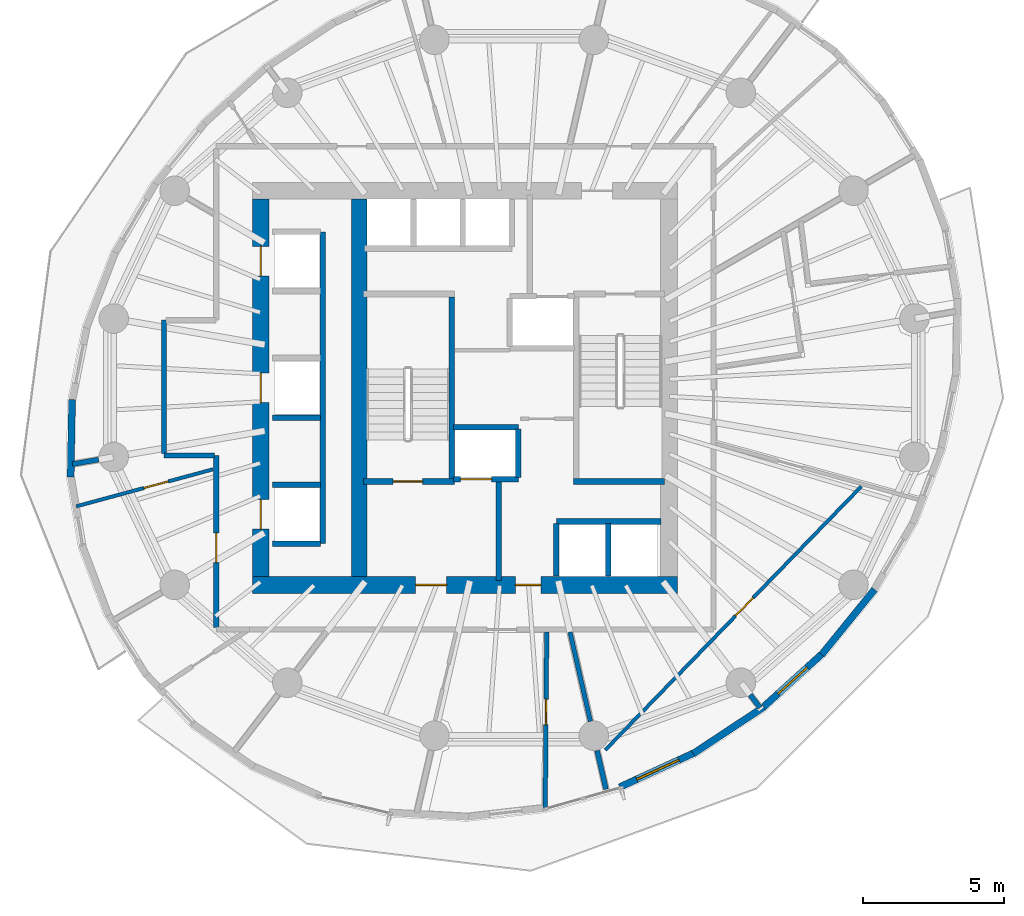
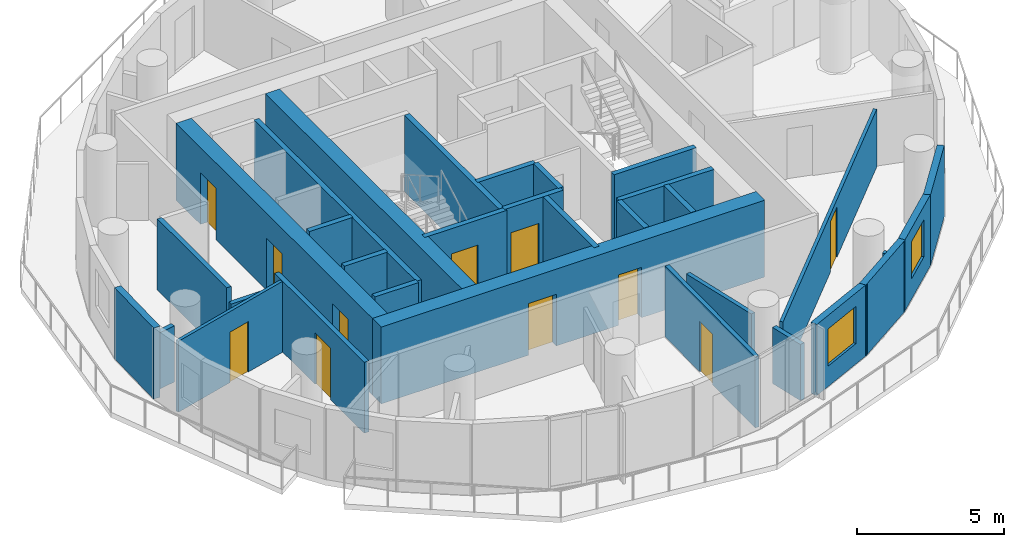
# One storey, part 5 of 13: 32 walls, 11 doors, 2 windows, 13 openings.
"""IFC4 building model written with IfcOpenShell, lengths in metres."""

from ifc_helpers import new_model, si_unit, direction, frame, frame_2d, origin, place, context, subcontext, project, spatial, rectangle, extrude, material, layer, layer_set, type_object, element, fill, save


model = new_model("IFC4")

# Units and contexts
model_context = context("Model", 3, precision=1e-05, world=origin(), true_north=direction((0.0, 1.0)))
body_context = subcontext(model_context, "Body", "Model", "MODEL_VIEW")
ifc_project = project(units=[si_unit("LENGTHUNIT", "METRE"), si_unit("AREAUNIT", "SQUARE_METRE"), si_unit("VOLUMEUNIT", "CUBIC_METRE"), si_unit("PLANEANGLEUNIT", "RADIAN"), si_unit("MASSUNIT", "GRAM", prefix="KILO")], contexts=[model_context])

# Site, building, storey
site_placement = place(None, origin())
site = spatial("IfcSite", under=ifc_project, at=site_placement, CompositionType="ELEMENT")
building_placement = place(site_placement, origin())
building = spatial("IfcBuilding", under=site, at=building_placement, Name="Veldorim Arch Residences", CompositionType="ELEMENT")
storey_placement = place(building_placement, frame((0.0, 0.0, 152.159912109375)))
storey = spatial("IfcBuildingStorey", under=building, at=storey_placement, Name="L45", CompositionType="ELEMENT", Elevation=152.159912109375)

# Wall, opening, door
ifc_material_1 = material(Name="Acoustic Gypsum Board", Category="gypsum")
ifc_layer_1 = layer(ifc_material_1, 0.125, Name="Acoustic Stud Room Partition Wall 125")
ifc_layer_set_1 = layer_set([ifc_layer_1], Name="Acoustic Gypsum Board")
wall_type_1 = type_object("IfcWallType", Name="Acoustic Stud Room Partition Wall 125", PredefinedType="PARTITIONING", material=ifc_layer_set_1)
wall_1_placement = place(storey_placement, frame((44.335693359375, 20.49658203125, 0.0), z_axis=(0.0, 0.0, 1.0), x_axis=(-0.696857448942, -0.717209659621, 0.0)))
wall_1 = element("IfcWall", 1, at=wall_1_placement, inside=storey, type_object=wall_type_1, Name="L45 interior wall WL-RES-L45-021", PredefinedType="PARTITIONING", context=body_context, shape_type="SweptSolid", body=[
    extrude(rectangle(XDim=13.051513671875, YDim=0.125, at=frame_2d((6.52587890625, 0.0))), origin(), (0.0, 0.0, 1.0), 2.411376953125),
])
opening_1_placement = place(wall_1_placement, frame((5.515625, 0.0, 0.0)))
opening_1 = element("IfcOpeningElement", 2, at=opening_1_placement, cuts=wall_1, Name="Opening DR-INT", PredefinedType="OPENING", context=body_context, shape_type="SweptSolid", body=[
    extrude(rectangle(XDim=0.89990234375, YDim=2.10009765625, at=frame_2d((0.449951171875, 1.050048828125))), frame((0.0, 0.072509765625, 0.0), z_axis=(0.0, -1.0, 0.0), x_axis=(1.0, 0.0, 0.0)), (0.0, 0.0, 1.0), 0.14501953125),
])
ifc_material_2 = material(Name="Engineered Timber", Category="wood")
door_type_1 = type_object("IfcDoorType", Name="Apartment Internal Room Timber Door 900x2100", OperationType="SINGLE_SWING_LEFT", PredefinedType="DOOR", material=ifc_material_2)
door_1_placement = place(opening_1_placement, origin())
door_1 = element("IfcDoor", 3, at=door_1_placement, inside=storey, type_object=door_type_1, Name="L45 interior door DR-RES-L45-007", OperationType="SINGLE_SWING_LEFT", OverallHeight=2.10009765625, OverallWidth=0.89990234375, PredefinedType="DOOR", context=body_context, shape_type="SweptSolid", body=[
    extrude(rectangle(XDim=0.89990234375, YDim=2.10009765625, at=frame_2d((0.449951171875, 1.050048828125))), frame((0.0, 0.02490234375, 0.0), z_axis=(0.0, -1.0, 0.0), x_axis=(1.0, 0.0, 0.0)), (0.0, 0.0, 1.0), 0.050048828125),
])
fill(opening_1, door_1)

wall_2_placement = place(storey_placement, frame((16.44775390625, 19.788330078125, 0.0), z_axis=(0.0, 0.0, 1.0), x_axis=(0.965231473287, 0.261396639182, 0.0)))
wall_2 = element("IfcWall", 4, at=wall_2_placement, inside=storey, type_object=wall_type_1, Name="L45 interior wall WL-RES-L45-029", PredefinedType="PARTITIONING", context=body_context, shape_type="SweptSolid", body=[
    extrude(rectangle(XDim=5.031494140625, YDim=0.125, at=frame_2d((2.515625, 0.0))), origin(), (0.0, 0.0, 1.0), 2.955078125),
])
opening_2_placement = place(wall_2_placement, frame((2.485595703125, 0.0, 0.0)))
opening_2 = element("IfcOpeningElement", 5, at=opening_2_placement, cuts=wall_2, Name="Opening DR-INT", PredefinedType="OPENING", context=body_context, shape_type="SweptSolid", body=[
    extrude(rectangle(XDim=0.89990234375, YDim=2.10009765625, at=frame_2d((0.449951171875, 1.050048828125))), frame((0.0, 0.072509765625, 0.0), z_axis=(0.0, -1.0, 0.0), x_axis=(1.0, 0.0, 0.0)), (0.0, 0.0, 1.0), 0.14501953125),
])
door_2_placement = place(opening_2_placement, origin())
door_2 = element("IfcDoor", 6, at=door_2_placement, inside=storey, type_object=door_type_1, Name="L45 interior door DR-RES-L45-017", OperationType="SINGLE_SWING_LEFT", OverallHeight=2.10009765625, OverallWidth=0.89990234375, PredefinedType="DOOR", context=body_context, shape_type="SweptSolid", body=[
    extrude(rectangle(XDim=0.89990234375, YDim=2.10009765625, at=frame_2d((0.449951171875, 1.050048828125))), frame((0.0, 0.02490234375, 0.0), z_axis=(0.0, -1.0, 0.0), x_axis=(1.0, 0.0, 0.0)), (0.0, 0.0, 1.0), 0.050048828125),
])
fill(opening_2, door_2)

# Walls
ifc_material_3 = material(Name="Lightweight Masonry Block & Gypsum", Category="masonry")
ifc_layer_2 = layer(ifc_material_3, 0.179931640625, Name="Compartment & Corridor Fire-Rated Party Wall 180")
ifc_layer_set_2 = layer_set([ifc_layer_2], Name="Lightweight Masonry Block & Gypsum")
wall_type_2 = type_object("IfcWallType", Name="Compartment & Corridor Fire-Rated Party Wall 180", PredefinedType="PARTITIONING", material=ifc_layer_set_2)
wall_3_placement = place(storey_placement, frame((17.24169921875, 21.44921875, 0.0), z_axis=(0.0, 0.0, 1.0), x_axis=(-0.985363023372, -0.170469094476, 0.0)))
element("IfcWall", 7, at=wall_3_placement, inside=storey, type_object=wall_type_2, Name="L45 interior wall WL-PIER-L45-09", PredefinedType="PARTITIONING", context=body_context, shape_type="SweptSolid", body=[
    extrude(rectangle(XDim=0.9453125, YDim=0.179931640625, at=frame_2d((0.47265625, 0.0))), origin(), (0.0, 0.0, 1.0), 2.3359375),
])
wall_4_placement = place(storey_placement, frame((34.950439453125, 11.11083984375, 0.0), z_axis=(0.0, 0.0, 1.0), x_axis=(0.223121817242, -0.974790569646, 0.0)))
element("IfcWall", 8, at=wall_4_placement, inside=storey, type_object=wall_type_2, Name="L45 interior wall WL-PIER-L45-13", PredefinedType="PARTITIONING", context=body_context, shape_type="SweptSolid", body=[
    extrude(rectangle(XDim=1.406005859375, YDim=0.179931640625, at=frame_2d((0.703125, 0.0))), origin(), (0.0, 0.0, 1.0), 2.3359375),
])
wall_5_placement = place(storey_placement, frame((40.387939453125, 13.091552734375, 0.0), z_axis=(0.0, 0.0, 1.0), x_axis=(0.609608105511, -0.79270294417, 0.0)))
element("IfcWall", 9, at=wall_5_placement, inside=storey, type_object=wall_type_2, Name="L45 interior wall WL-PIER-L45-14", PredefinedType="PARTITIONING", context=body_context, shape_type="SweptSolid", body=[
    extrude(rectangle(XDim=0.57470703125, YDim=0.179931640625, at=frame_2d((0.287353515625, 0.0))), origin(), (0.0, 0.0, 1.0), 2.3359375),
])

# Wall, opening, door
wall_6_placement = place(storey_placement, frame((21.419921875, 15.47998046875, 0.0), z_axis=(0.0, 0.0, 1.0), x_axis=(0.0, 1.0, 0.0)))
wall_6 = element("IfcWall", 10, at=wall_6_placement, inside=storey, type_object=wall_type_2, Name="L45 interior wall WL-RES-L45-007", PredefinedType="PARTITIONING", context=body_context, shape_type="SweptSolid", body=[
    extrude(rectangle(XDim=6.1201171875, YDim=0.179931640625, at=frame_2d((3.06005859375, 0.0))), origin(), (0.0, 0.0, 1.0), 2.955078125),
])
opening_3_placement = place(wall_6_placement, frame((2.3125, 0.0, 0.0)))
opening_3 = element("IfcOpeningElement", 11, at=opening_3_placement, cuts=wall_6, Name="Opening DR-FLT", PredefinedType="OPENING", context=body_context, shape_type="SweptSolid", body=[
    extrude(rectangle(XDim=1.050048828125, YDim=2.14990234375, at=frame_2d((0.52490234375, 1.074951171875))), frame((0.0, 0.099853515625, 0.0), z_axis=(0.0, -1.0, 0.0), x_axis=(1.0, 0.0, 0.0)), (0.0, 0.0, 1.0), 0.199951171875),
])
ifc_material_4 = material(Name="Fire-Rated Timber", Category="wood")
door_type_2 = type_object("IfcDoorType", Name="Apartment Entrance Solid-Core Fire Door 1050x2150", OperationType="SINGLE_SWING_LEFT", PredefinedType="DOOR", material=ifc_material_4)
door_3_placement = place(opening_3_placement, origin())
door_3 = element("IfcDoor", 12, at=door_3_placement, inside=storey, type_object=door_type_2, Name="L45 interior door DR-RES-L45-015", OperationType="SINGLE_SWING_LEFT", OverallHeight=2.14990234375, OverallWidth=1.050048828125, PredefinedType="DOOR", context=body_context, shape_type="SweptSolid", body=[
    extrude(rectangle(XDim=1.050048828125, YDim=2.14990234375, at=frame_2d((0.52490234375, 1.074951171875))), frame((0.0, 0.02490234375, 0.0), z_axis=(0.0, -1.0, 0.0), x_axis=(1.0, 0.0, 0.0)), (0.0, 0.0, 1.0), 0.050048828125),
])
fill(opening_3, door_3)

# Walls
wall_7_placement = place(storey_placement, frame((21.360107421875, 21.60009765625, 0.0), z_axis=(0.0, 0.0, 1.0), x_axis=(-1.0, 0.0, 0.0)))
element("IfcWall", 13, at=wall_7_placement, inside=storey, type_object=wall_type_2, Name="L45 interior wall WL-RES-L45-008", PredefinedType="PARTITIONING", context=body_context, shape_type="SweptSolid", body=[
    extrude(rectangle(XDim=1.7900390625, YDim=0.179931640625, at=frame_2d((0.89501953125, 0.0))), origin(), (0.0, 0.0, 1.0), 2.3359375),
])
wall_8_placement = place(storey_placement, frame((19.570068359375, 21.659912109375, 0.0), z_axis=(0.0, 0.0, 1.0), x_axis=(0.0, 1.0, 0.0)))
element("IfcWall", 14, at=wall_8_placement, inside=storey, type_object=wall_type_2, Name="L45 interior wall WL-RES-L45-009", PredefinedType="PARTITIONING", context=body_context, shape_type="SweptSolid", body=[
    extrude(rectangle(XDim=4.739990234375, YDim=0.179931640625, at=frame_2d((2.3701171875, 0.0))), origin(), (0.0, 0.0, 1.0), 2.955078125),
])
ifc_material_5 = material(Name="Concrete C50/60", Category="concrete")
ifc_layer_3 = layer(ifc_material_5, 0.199951171875, Name="Core Stair & Lift Shaft Enclosure Wall 200")
ifc_layer_set_3 = layer_set([ifc_layer_3], Name="Concrete C50/60")
wall_type_3 = type_object("IfcWallType", Name="Core Stair & Lift Shaft Enclosure Wall 200", PredefinedType="SHEAR", material=ifc_layer_set_3)
wall_9_placement = place(storey_placement, frame((29.7900390625, 20.780029296875, 0.0), z_axis=(0.0, 0.0, 1.0), x_axis=(0.0, 1.0, 0.0)))
element("IfcWall", 15, at=wall_9_placement, inside=storey, type_object=wall_type_3, Name="L45 shaft wall WL-SHF-L45-ST1-E", PredefinedType="SHEAR", context=body_context, shape_type="SweptSolid", body=[
    extrude(rectangle(XDim=6.43994140625, YDim=0.199951171875, at=frame_2d((3.219970703125, 0.0))), origin(), (0.0, 0.0, 1.0), 3.2001953125),
])

# Wall, opening, door
wall_10_placement = place(storey_placement, frame((26.64990234375, 20.669921875, 0.0), z_axis=(0.0, 0.0, 1.0), x_axis=(1.0, 0.0, 0.0)))
wall_10 = element("IfcWall", 16, at=wall_10_placement, inside=storey, type_object=wall_type_3, Name="L45 shaft wall WL-SHF-L45-ST1-S", PredefinedType="SHEAR", context=body_context, shape_type="SweptSolid", body=[
    extrude(rectangle(XDim=3.239990234375, YDim=0.199951171875, at=frame_2d((1.6201171875, 0.0))), origin(), (0.0, 0.0, 1.0), 3.2001953125),
])
opening_4_placement = place(wall_10_placement, frame((1.054931640625, 0.0, 0.0)))
opening_4 = element("IfcOpeningElement", 17, at=opening_4_placement, cuts=wall_10, Name="Opening DR-ST", PredefinedType="OPENING", context=body_context, shape_type="SweptSolid", body=[
    extrude(rectangle(XDim=1.050048828125, YDim=2.14990234375, at=frame_2d((0.52490234375, 1.074951171875))), frame((0.0, 0.10986328125, 0.0), z_axis=(0.0, -1.0, 0.0), x_axis=(1.0, 0.0, 0.0)), (0.0, 0.0, 1.0), 0.219970703125),
])
ifc_material_6 = material(Name="Fire-Rated Steel", Category="steel")
door_type_3 = type_object("IfcDoorType", Name="Exit Staircase Self-Closing Fire Door 1050x2150", OperationType="SINGLE_SWING_LEFT", PredefinedType="DOOR", material=ifc_material_6)
door_4_placement = place(opening_4_placement, origin())
door_4 = element("IfcDoor", 18, at=door_4_placement, inside=storey, type_object=door_type_3, Name="L45 interior door DR-L45-ST1", OperationType="SINGLE_SWING_LEFT", OverallHeight=2.14990234375, OverallWidth=1.050048828125, PredefinedType="DOOR", context=body_context, shape_type="SweptSolid", body=[
    extrude(rectangle(XDim=1.050048828125, YDim=2.14990234375, at=frame_2d((0.52490234375, 1.074951171875))), frame((0.0, 0.02490234375, 0.0), z_axis=(0.0, -1.0, 0.0), x_axis=(1.0, 0.0, 0.0)), (0.0, 0.0, 1.0), 0.050048828125),
])
fill(opening_4, door_4)

# Walls
wall_11_placement = place(storey_placement, frame((34.110107421875, 20.669921875, 0.0), z_axis=(0.0, 0.0, 1.0), x_axis=(1.0, 0.0, 0.0)))
element("IfcWall", 19, at=wall_11_placement, inside=storey, type_object=wall_type_3, Name="L45 shaft wall WL-SHF-L45-ST2-S", PredefinedType="SHEAR", context=body_context, shape_type="SweptSolid", body=[
    extrude(rectangle(XDim=3.239990234375, YDim=0.199951171875, at=frame_2d((1.6201171875, 0.0))), origin(), (0.0, 0.0, 1.0), 3.2001953125),
])
wall_12_placement = place(storey_placement, frame((31.449951171875, 17.14990234375, 0.0), z_axis=(0.0, 0.0, 1.0), x_axis=(0.0, 1.0, 0.0)))
element("IfcWall", 20, at=wall_12_placement, inside=storey, type_object=wall_type_3, Name="L45 shaft wall WL-FFL1-L45-E", PredefinedType="SHEAR", context=body_context, shape_type="SweptSolid", body=[
    extrude(rectangle(XDim=3.5, YDim=0.199951171875, at=frame_2d((1.75, 0.0))), origin(), (0.0, 0.0, 1.0), 3.2001953125),
])

# Wall, opening, door
wall_13_placement = place(storey_placement, frame((29.85009765625, 20.75, 0.0), z_axis=(0.0, 0.0, 1.0), x_axis=(1.0, 0.0, 0.0)))
wall_13 = element("IfcWall", 21, at=wall_13_placement, inside=storey, type_object=wall_type_3, Name="L45 shaft wall WL-FL01-L45-S", PredefinedType="SHEAR", context=body_context, shape_type="SweptSolid", body=[
    extrude(rectangle(XDim=2.2998046875, YDim=0.199951171875, at=frame_2d((1.14990234375, 0.0))), origin(), (0.0, 0.0, 1.0), 3.2001953125),
])
opening_5_placement = place(wall_13_placement, frame((0.25, 0.0, 0.0)))
opening_5 = element("IfcOpeningElement", 22, at=opening_5_placement, cuts=wall_13, Name="Opening LD-FF", PredefinedType="OPENING", context=body_context, shape_type="SweptSolid", body=[
    extrude(rectangle(XDim=1.10009765625, YDim=2.14990234375, at=frame_2d((0.550048828125, 1.074951171875))), frame((0.0, 0.10986328125, 0.0), z_axis=(0.0, -1.0, 0.0), x_axis=(1.0, 0.0, 0.0)), (0.0, 0.0, 1.0), 0.219970703125),
])
ifc_material_7 = material(Name="Stainless Steel", Category="steel")
door_type_4 = type_object("IfcDoorType", Name="Firefighting Lift Bi-Parting Sliding Landing Door 1100x2150", OperationType="DOUBLE_DOOR_SLIDING", PredefinedType="DOOR", material=ifc_material_7)
door_5_placement = place(opening_5_placement, origin())
door_5 = element("IfcDoor", 23, at=door_5_placement, inside=storey, type_object=door_type_4, Name="L45 lift landing door LD-L45-FL01", OperationType="DOUBLE_DOOR_SLIDING", OverallHeight=2.14990234375, OverallWidth=1.10009765625, PredefinedType="DOOR", context=body_context, shape_type="SweptSolid", body=[
    extrude(rectangle(XDim=1.10009765625, YDim=2.14990234375, at=frame_2d((0.550048828125, 1.074951171875))), frame((0.0, 0.02490234375, 0.0), z_axis=(0.0, -1.0, 0.0), x_axis=(1.0, 0.0, 0.0)), (0.0, 0.0, 1.0), 0.050048828125),
])
fill(opening_5, door_5)

# Walls
wall_14_placement = place(storey_placement, frame((29.85009765625, 22.60009765625, 0.0), z_axis=(0.0, 0.0, 1.0), x_axis=(1.0, 0.0, 0.0)))
element("IfcWall", 24, at=wall_14_placement, inside=storey, type_object=wall_type_3, Name="L45 shaft wall WL-FL01-L45-N", PredefinedType="SHEAR", context=body_context, shape_type="SweptSolid", body=[
    extrude(rectangle(XDim=2.2998046875, YDim=0.199951171875, at=frame_2d((1.14990234375, 0.0))), origin(), (0.0, 0.0, 1.0), 3.2001953125),
])
wall_15_placement = place(storey_placement, frame((32.14990234375, 20.820068359375, 0.0), z_axis=(0.0, 0.0, 1.0), x_axis=(0.0, 1.0, 0.0)))
element("IfcWall", 25, at=wall_15_placement, inside=storey, type_object=wall_type_3, Name="L45 shaft wall WL-FL01-L45-E", PredefinedType="SHEAR", context=body_context, shape_type="SweptSolid", body=[
    extrude(rectangle(XDim=1.7099609375, YDim=0.199951171875, at=frame_2d((0.85498046875, 0.0))), origin(), (0.0, 0.0, 1.0), 3.2001953125),
])
wall_16_placement = place(storey_placement, frame((25.199951171875, 18.4599609375, 0.0), z_axis=(0.0, 0.0, 1.0), x_axis=(0.0, 1.0, 0.0)))
element("IfcWall", 26, at=wall_16_placement, inside=storey, type_object=wall_type_3, Name="L45 shaft wall WL-B2-L45-E", PredefinedType="SHEAR", context=body_context, shape_type="SweptSolid", body=[
    extrude(rectangle(XDim=11.080078125, YDim=0.199951171875, at=frame_2d((5.5400390625, 0.0))), origin(), (0.0, 0.0, 1.0), 3.2001953125),
])
for number, where, z_axis, x_axis, name in (
    (27, (23.419921875, 18.4599609375, 0.0), (0.0, 0.0, 1.0), (1.0, 0.0, 0.0), "L45 shaft wall WL-B2-L45-S"),
    (28, (23.419921875, 20.56005859375, 0.0), (0.0, 0.0, 1.0), (1.0, 0.0, 0.0), "L45 shaft wall WL-B2-L45-D1A"),
    (29, (23.419921875, 22.93994140625, 0.0), (0.0, 0.0, 1.0), (1.0, 0.0, 0.0), "L45 shaft wall WL-B2-L45-D1B"),
):
    element("IfcWall", number, at=place(storey_placement, frame(where, z_axis=z_axis, x_axis=x_axis)), inside=storey, type_object=wall_type_3, Name=name, PredefinedType="SHEAR", context=body_context, shape_type="SweptSolid", body=[
        extrude(rectangle(XDim=1.7099609375, YDim=0.199951171875, at=frame_2d((0.85498046875, 0.0))), origin(), (0.0, 0.0, 1.0), 3.2001953125),
    ])
wall_17_placement = place(storey_placement, frame((33.5, 19.25, 0.0), z_axis=(0.0, 0.0, 1.0), x_axis=(1.0, 0.0, 0.0)))
element("IfcWall", 30, at=wall_17_placement, inside=storey, type_object=wall_type_3, Name="L45 shaft wall WL-OL-L45-N", PredefinedType="SHEAR", context=body_context, shape_type="SweptSolid", body=[
    extrude(rectangle(XDim=3.719970703125, YDim=0.199951171875, at=frame_2d((1.85986328125, 0.0))), origin(), (0.0, 0.0, 1.0), 3.2001953125),
])
for number, where, z_axis, x_axis, name in (
    (31, (33.5, 17.320068359375, 0.0), (0.0, 0.0, 1.0), (0.0, 1.0, 0.0), "L45 shaft wall WL-OL-L45-W"),
    (32, (35.35009765625, 17.320068359375, 0.0), (0.0, 0.0, 1.0), (0.0, 1.0, 0.0), "L45 shaft wall WL-OL-L45-D1"),
):
    element("IfcWall", number, at=place(storey_placement, frame(where, z_axis=z_axis, x_axis=x_axis)), inside=storey, type_object=wall_type_3, Name=name, PredefinedType="SHEAR", context=body_context, shape_type="SweptSolid", body=[
        extrude(rectangle(XDim=1.85986328125, YDim=0.199951171875, at=frame_2d((0.929931640625, 0.0))), origin(), (0.0, 0.0, 1.0), 3.2001953125),
    ])

# Wall, openings, doors
ifc_material_8 = material(Name="Concrete C50/60", Category="concrete")
ifc_layer_4 = layer(ifc_material_8, 0.60009765625, Name="Mid-Upper Central Core Shear Wall 600")
ifc_layer_set_4 = layer_set([ifc_layer_4], Name="Concrete C50/60")
wall_type_4 = type_object("IfcWallType", Name="Mid-Upper Central Core Shear Wall 600", PredefinedType="SHEAR", material=ifc_layer_set_4)
wall_18_placement = place(storey_placement, frame((22.699951171875, 17.0, 0.0), z_axis=(0.0, 0.0, 1.0), x_axis=(1.0, 0.0, 0.0)))
wall_18 = element("IfcWall", 33, at=wall_18_placement, inside=storey, type_object=wall_type_4, Name="L45 central core south shear wall", PredefinedType="SHEAR", context=body_context, shape_type="SweptSolid", body=[
    extrude(rectangle(XDim=15.10009765625, YDim=0.60009765625, at=frame_2d((7.550048828125, 0.0))), origin(), (0.0, 0.0, 1.0), 3.2001953125),
])
opening_6_placement = place(wall_18_placement, frame((5.800048828125, 0.0, 0.0)))
opening_6 = element("IfcOpeningElement", 34, at=opening_6_placement, cuts=wall_18, Name="Opening DR-FFL", PredefinedType="OPENING", context=body_context, shape_type="SweptSolid", body=[
    extrude(rectangle(XDim=1.10009765625, YDim=2.14990234375, at=frame_2d((0.550048828125, 1.074951171875))), frame((0.0, 0.31005859375, 0.0), z_axis=(0.0, -1.0, 0.0), x_axis=(1.0, 0.0, 0.0)), (0.0, 0.0, 1.0), 0.6201171875),
])
opening_7_placement = place(wall_18_placement, frame((9.35009765625, 0.0, 0.0)))
opening_7 = element("IfcOpeningElement", 35, at=opening_7_placement, cuts=wall_18, Name="Opening DR-SVC", PredefinedType="OPENING", context=body_context, shape_type="SweptSolid", body=[
    extrude(rectangle(XDim=0.89990234375, YDim=2.10009765625, at=frame_2d((0.449951171875, 1.050048828125))), frame((0.0, 0.31005859375, 0.0), z_axis=(0.0, -1.0, 0.0), x_axis=(1.0, 0.0, 0.0)), (0.0, 0.0, 1.0), 0.6201171875),
])
ifc_material_9 = material(Name="Fire-Rated Steel & Vision Glass", Category="steel")
door_type_5 = type_object("IfcDoorType", Name="Firefighting Lobby Smoke-Stop Fire Door 1100x2150", OperationType="SINGLE_SWING_LEFT", PredefinedType="DOOR", material=ifc_material_9)
door_6_placement = place(opening_6_placement, origin())
door_6 = element("IfcDoor", 36, at=door_6_placement, inside=storey, type_object=door_type_5, Name="L45 interior door DR-L45-FFL1", OperationType="SINGLE_SWING_RIGHT", OverallHeight=2.14990234375, OverallWidth=1.10009765625, PredefinedType="DOOR", context=body_context, shape_type="SweptSolid", body=[
    extrude(rectangle(XDim=1.10009765625, YDim=2.14990234375, at=frame_2d((0.550048828125, 1.074951171875))), frame((0.0, 0.02490234375, 0.0), z_axis=(0.0, -1.0, 0.0), x_axis=(1.0, 0.0, 0.0)), (0.0, 0.0, 1.0), 0.050048828125),
])
fill(opening_6, door_6)
ifc_material_10 = material(Name="Fire-Rated Steel", Category="steel")
door_type_6 = type_object("IfcDoorType", Name="Riser, Shelter & Plant Room Rated Steel Door 900x2100", OperationType="SINGLE_SWING_LEFT", PredefinedType="DOOR", material=ifc_material_10)
door_7_placement = place(opening_7_placement, origin())
door_7 = element("IfcDoor", 37, at=door_7_placement, inside=storey, type_object=door_type_6, Name="L45 interior door DR-L45-COR-ANC", OperationType="SINGLE_SWING_LEFT", OverallHeight=2.10009765625, OverallWidth=0.89990234375, PredefinedType="DOOR", context=body_context, shape_type="SweptSolid", body=[
    extrude(rectangle(XDim=0.89990234375, YDim=2.10009765625, at=frame_2d((0.449951171875, 1.050048828125))), frame((0.0, 0.02490234375, 0.0), z_axis=(0.0, -1.0, 0.0), x_axis=(1.0, 0.0, 0.0)), (0.0, 0.0, 1.0), 0.050048828125),
])
fill(opening_7, door_7)

wall_19_placement = place(storey_placement, frame((23.0, 17.300048828125, 0.0), z_axis=(0.0, 0.0, 1.0), x_axis=(0.0, 1.0, 0.0)))
wall_19 = element("IfcWall", 38, at=wall_19_placement, inside=storey, type_object=wall_type_4, Name="L45 central core west shear wall", PredefinedType="SHEAR", context=body_context, shape_type="SweptSolid", body=[
    extrude(rectangle(XDim=13.39990234375, YDim=0.60009765625, at=frame_2d((6.699951171875, 0.0))), origin(), (0.0, 0.0, 1.0), 3.2001953125),
])
opening_8_placement = place(wall_19_placement, frame((1.675048828125, 0.0, 0.0)))
opening_8 = element("IfcOpeningElement", 39, at=opening_8_placement, cuts=wall_19, Name="Opening LD-PS", PredefinedType="OPENING", context=body_context, shape_type="SweptSolid", body=[
    extrude(rectangle(XDim=1.050048828125, YDim=2.14990234375, at=frame_2d((0.52490234375, 1.074951171875))), frame((0.0, 0.31005859375, 0.0), z_axis=(0.0, -1.0, 0.0), x_axis=(1.0, 0.0, 0.0)), (0.0, 0.0, 1.0), 0.6201171875),
])
opening_9_placement = place(wall_19_placement, frame((6.175048828125, 0.0, 0.0)))
opening_9 = element("IfcOpeningElement", 40, at=opening_9_placement, cuts=wall_19, Name="Opening LD-PS", PredefinedType="OPENING", context=body_context, shape_type="SweptSolid", body=[
    extrude(rectangle(XDim=1.050048828125, YDim=2.14990234375, at=frame_2d((0.52490234375, 1.074951171875))), frame((0.0, 0.31005859375, 0.0), z_axis=(0.0, -1.0, 0.0), x_axis=(1.0, 0.0, 0.0)), (0.0, 0.0, 1.0), 0.6201171875),
])
opening_10_placement = place(wall_19_placement, frame((10.675048828125, 0.0, 0.0)))
opening_10 = element("IfcOpeningElement", 41, at=opening_10_placement, cuts=wall_19, Name="Opening LD-PS", PredefinedType="OPENING", context=body_context, shape_type="SweptSolid", body=[
    extrude(rectangle(XDim=1.050048828125, YDim=2.14990234375, at=frame_2d((0.52490234375, 1.074951171875))), frame((0.0, 0.31005859375, 0.0), z_axis=(0.0, -1.0, 0.0), x_axis=(1.0, 0.0, 0.0)), (0.0, 0.0, 1.0), 0.6201171875),
])
ifc_material_11 = material(Name="Stainless Steel", Category="steel")
door_type_7 = type_object("IfcDoorType", Name="Passenger Lift Bi-Parting Sliding Landing Door 1050x2150", OperationType="DOUBLE_DOOR_SLIDING", PredefinedType="DOOR", material=ifc_material_11)
door_8_placement = place(opening_8_placement, origin())
door_8 = element("IfcDoor", 42, at=door_8_placement, inside=storey, type_object=door_type_7, Name="L45 lift landing door LD-L45-PL-05", OperationType="DOUBLE_DOOR_SLIDING", OverallHeight=2.14990234375, OverallWidth=1.050048828125, PredefinedType="DOOR", context=body_context, shape_type="SweptSolid", body=[
    extrude(rectangle(XDim=1.050048828125, YDim=2.14990234375, at=frame_2d((0.52490234375, 1.074951171875))), frame((0.0, 0.02490234375, 0.0), z_axis=(0.0, -1.0, 0.0), x_axis=(1.0, 0.0, 0.0)), (0.0, 0.0, 1.0), 0.050048828125),
])
fill(opening_8, door_8)
door_9_placement = place(opening_9_placement, origin())
door_9 = element("IfcDoor", 43, at=door_9_placement, inside=storey, type_object=door_type_7, Name="L45 lift landing door LD-L45-PL-06", OperationType="DOUBLE_DOOR_SLIDING", OverallHeight=2.14990234375, OverallWidth=1.050048828125, PredefinedType="DOOR", context=body_context, shape_type="SweptSolid", body=[
    extrude(rectangle(XDim=1.050048828125, YDim=2.14990234375, at=frame_2d((0.52490234375, 1.074951171875))), frame((0.0, 0.02490234375, 0.0), z_axis=(0.0, -1.0, 0.0), x_axis=(1.0, 0.0, 0.0)), (0.0, 0.0, 1.0), 0.050048828125),
])
fill(opening_9, door_9)
door_10_placement = place(opening_10_placement, origin())
door_10 = element("IfcDoor", 44, at=door_10_placement, inside=storey, type_object=door_type_7, Name="L45 lift landing door LD-L45-PL-07", OperationType="DOUBLE_DOOR_SLIDING", OverallHeight=2.14990234375, OverallWidth=1.050048828125, PredefinedType="DOOR", context=body_context, shape_type="SweptSolid", body=[
    extrude(rectangle(XDim=1.050048828125, YDim=2.14990234375, at=frame_2d((0.52490234375, 1.074951171875))), frame((0.0, 0.02490234375, 0.0), z_axis=(0.0, -1.0, 0.0), x_axis=(1.0, 0.0, 0.0)), (0.0, 0.0, 1.0), 0.050048828125),
])
fill(opening_10, door_10)

# Wall
ifc_material_12 = material(Name="Precast concrete C40/50", Category="concrete")
ifc_layer_5 = layer(ifc_material_12, 0.25, Name="Tower Terracotta Spandrel & Pier Wall 250")
ifc_layer_set_5 = layer_set([ifc_layer_5], Name="Precast concrete C40/50")
wall_type_5 = type_object("IfcWallType", Name="Tower Terracotta Spandrel & Pier Wall 250", PredefinedType="SOLIDWALL", material=ifc_layer_set_5)
wall_20_placement = place(storey_placement, frame((16.246826171875, 20.824951171875, 0.0), z_axis=(0.0, 0.0, 1.0), x_axis=(0.018273942119, 0.999833017578, 0.0)))
element("IfcWall", 45, at=wall_20_placement, inside=storey, type_object=wall_type_5, Name="L45 terracotta facade wall 15", PredefinedType="SOLIDWALL", context=body_context, shape_type="SweptSolid", body=[
    extrude(rectangle(XDim=2.752197265625, YDim=0.25, at=frame_2d((1.3759765625, 0.0))), origin(), (0.0, 0.0, 1.0), 2.960205078125),
])

# Wall, opening, window
wall_21_placement = place(storey_placement, frame((38.46142578125, 11.056396484375, 0.0), z_axis=(0.0, 0.0, 1.0), x_axis=(-0.908594420046, -0.417679518124, 0.0)))
wall_21 = element("IfcWall", 46, at=wall_21_placement, inside=storey, type_object=wall_type_5, Name="L45 terracotta facade wall 26", PredefinedType="SOLIDWALL", context=body_context, shape_type="SweptSolid", body=[
    extrude(rectangle(XDim=2.97705078125, YDim=0.25, at=frame_2d((1.488525390625, 0.0))), origin(), (0.0, 0.0, 1.0), 2.960205078125),
])
opening_11_placement = place(wall_21_placement, frame((0.6640625, 0.0, 0.85009765625)))
opening_11 = element("IfcOpeningElement", 47, at=opening_11_placement, cuts=wall_21, Name="Opening WN-03", PredefinedType="OPENING", context=body_context, shape_type="SweptSolid", body=[
    extrude(rectangle(XDim=1.64990234375, YDim=1.550048828125, at=frame_2d((0.824951171875, 0.77490234375))), frame((0.0, 0.135009765625, 0.0), z_axis=(0.0, -1.0, 0.0), x_axis=(1.0, 0.0, 0.0)), (0.0, 0.0, 1.0), 0.27001953125),
])
ifc_material_13 = material(Name="Laminated Low-E Glass", Category="glass")
window_type_1 = type_object("IfcWindowType", Name="Residential Wide Window 1650x1550", PartitioningType="SINGLE_PANEL", PredefinedType="WINDOW", material=ifc_material_13)
window_1_placement = place(opening_11_placement, origin())
window_1 = element("IfcWindow", 48, at=window_1_placement, inside=storey, type_object=window_type_1, Name="L45 solar-control facade window 26", OverallHeight=1.550048828125, OverallWidth=1.64990234375, PartitioningType="SINGLE_PANEL", PredefinedType="WINDOW", context=body_context, shape_type="SweptSolid", body=[
    extrude(rectangle(XDim=1.64990234375, YDim=1.550048828125, at=frame_2d((0.824951171875, 0.77490234375))), frame((0.0, 0.030029296875, 0.0), z_axis=(0.0, -1.0, 0.0), x_axis=(1.0, 0.0, 0.0)), (0.0, 0.0, 1.0), 0.06005859375),
])
fill(opening_11, window_1)

# Wall
wall_22_placement = place(storey_placement, frame((40.867919921875, 12.656005859375, 0.0), z_axis=(0.0, 0.0, 1.0), x_axis=(-0.83436073477, -0.551218798912, 0.0)))
element("IfcWall", 49, at=wall_22_placement, inside=storey, type_object=wall_type_5, Name="L45 terracotta facade wall 27", PredefinedType="SOLIDWALL", context=body_context, shape_type="SweptSolid", body=[
    extrude(rectangle(XDim=2.998046875, YDim=0.25, at=frame_2d((1.4990234375, 0.0))), origin(), (0.0, 0.0, 1.0), 2.960205078125),
])

# Wall, opening, window
wall_23_placement = place(storey_placement, frame((43.005126953125, 14.6015625, 0.0), z_axis=(0.0, 0.0, 1.0), x_axis=(-0.741367932595, -0.671098791922, 0.0)))
wall_23 = element("IfcWall", 50, at=wall_23_placement, inside=storey, type_object=wall_type_5, Name="L45 terracotta facade wall 28", PredefinedType="SOLIDWALL", context=body_context, shape_type="SweptSolid", body=[
    extrude(rectangle(XDim=2.998291015625, YDim=0.25, at=frame_2d((1.4990234375, 0.0))), origin(), (0.0, 0.0, 1.0), 2.960205078125),
])
opening_12_placement = place(wall_23_placement, frame((0.799072265625, 0.0, 0.85009765625)))
opening_12 = element("IfcOpeningElement", 51, at=opening_12_placement, cuts=wall_23, Name="Opening WN-02", PredefinedType="OPENING", context=body_context, shape_type="SweptSolid", body=[
    extrude(rectangle(XDim=1.39990234375, YDim=1.550048828125, at=frame_2d((0.699951171875, 0.77490234375))), frame((0.0, 0.135009765625, 0.0), z_axis=(0.0, -1.0, 0.0), x_axis=(1.0, 0.0, 0.0)), (0.0, 0.0, 1.0), 0.27001953125),
])
ifc_material_14 = material(Name="Laminated Low-E Glass", Category="glass")
window_type_2 = type_object("IfcWindowType", Name="Residential Casement Window 1400x1550", PartitioningType="SINGLE_PANEL", PredefinedType="WINDOW", material=ifc_material_14)
window_2_placement = place(opening_12_placement, origin())
window_2 = element("IfcWindow", 52, at=window_2_placement, inside=storey, type_object=window_type_2, Name="L45 solar-control facade window 28", OverallHeight=1.550048828125, OverallWidth=1.39990234375, PartitioningType="SINGLE_PANEL", PredefinedType="WINDOW", context=body_context, shape_type="SweptSolid", body=[
    extrude(rectangle(XDim=1.39990234375, YDim=1.550048828125, at=frame_2d((0.699951171875, 0.77490234375))), frame((0.0, 0.030029296875, 0.0), z_axis=(0.0, -1.0, 0.0), x_axis=(1.0, 0.0, 0.0)), (0.0, 0.0, 1.0), 0.06005859375),
])
fill(opening_12, window_2)

# Walls
wall_24_placement = place(storey_placement, frame((44.80712890625, 16.833251953125, 0.0), z_axis=(0.0, 0.0, 1.0), x_axis=(-0.630478385784, -0.776206805599, 0.0)))
element("IfcWall", 53, at=wall_24_placement, inside=storey, type_object=wall_type_5, Name="L45 terracotta facade wall 29", PredefinedType="SOLIDWALL", context=body_context, shape_type="SweptSolid", body=[
    extrude(rectangle(XDim=2.97705078125, YDim=0.25, at=frame_2d((1.488525390625, 0.0))), origin(), (0.0, 0.0, 1.0), 2.960205078125),
])
ifc_material_15 = material(Name="Concrete C50/60", Category="concrete")
ifc_layer_6 = layer(ifc_material_15, 0.56005859375, Name="Upper Internal Core Shear Web Wall 560")
ifc_layer_set_6 = layer_set([ifc_layer_6], Name="Concrete C50/60")
wall_type_6 = type_object("IfcWallType", Name="Upper Internal Core Shear Web Wall 560", PredefinedType="SHEAR", material=ifc_layer_set_6)
wall_25_placement = place(storey_placement, frame((26.5, 17.300048828125, 0.0), z_axis=(0.0, 0.0, 1.0), x_axis=(0.0, 1.0, 0.0)))
element("IfcWall", 54, at=wall_25_placement, inside=storey, type_object=wall_type_6, Name="L45 core west internal shear web", PredefinedType="SHEAR", context=body_context, shape_type="SweptSolid", body=[
    extrude(rectangle(XDim=13.39990234375, YDim=0.56005859375, at=frame_2d((6.699951171875, 0.0))), origin(), (0.0, 0.0, 1.0), 3.2001953125),
])

# Wall, opening, door
ifc_material_16 = material(Name="Moisture-Resistant Gypsum & Stud", Category="gypsum")
ifc_layer_7 = layer(ifc_material_16, 0.159912109375, Name="Wet-Area Moisture-Resistant Plumbing Wall 160")
ifc_layer_set_7 = layer_set([ifc_layer_7], Name="Moisture-Resistant Gypsum & Stud")
wall_type_7 = type_object("IfcWallType", Name="Wet-Area Moisture-Resistant Plumbing Wall 160", PredefinedType="PLUMBINGWALL", material=ifc_layer_set_7)
wall_26_placement = place(storey_placement, frame((33.1591796875, 15.320068359375, 0.0), z_axis=(0.0, 0.0, 1.0), x_axis=(-0.008387256911, -0.999964826342, 0.0)))
wall_26 = element("IfcWall", 55, at=wall_26_placement, inside=storey, type_object=wall_type_7, Name="L45 interior wall WL-RES-L45-011", PredefinedType="PLUMBINGWALL", context=body_context, shape_type="SweptSolid", body=[
    extrude(rectangle(XDim=6.229248046875, YDim=0.159912109375, at=frame_2d((3.11474609375, 0.0))), origin(), (0.0, 0.0, 1.0), 2.955078125),
])
opening_13_placement = place(wall_26_placement, frame((2.384521484375, 0.0, 0.0)))
opening_13 = element("IfcOpeningElement", 56, at=opening_13_placement, cuts=wall_26, Name="Opening DR-WC", PredefinedType="OPENING", context=body_context, shape_type="SweptSolid", body=[
    extrude(rectangle(XDim=0.89990234375, YDim=2.10009765625, at=frame_2d((0.449951171875, 1.050048828125))), frame((0.0, 0.08984375, 0.0), z_axis=(0.0, -1.0, 0.0), x_axis=(1.0, 0.0, 0.0)), (0.0, 0.0, 1.0), 0.179931640625),
])
ifc_material_17 = material(Name="Laminate Timber", Category="wood")
door_type_8 = type_object("IfcDoorType", Name="Bathroom & Accessible WC Moisture-Sealed Door 900x2100", OperationType="SINGLE_SWING_LEFT", PredefinedType="DOOR", material=ifc_material_17)
door_11_placement = place(opening_13_placement, origin())
door_11 = element("IfcDoor", 57, at=door_11_placement, inside=storey, type_object=door_type_8, Name="L45 interior door DR-RES-L45-002", OperationType="SINGLE_SWING_RIGHT", OverallHeight=2.10009765625, OverallWidth=0.89990234375, PredefinedType="DOOR", context=body_context, shape_type="SweptSolid", body=[
    extrude(rectangle(XDim=0.89990234375, YDim=2.10009765625, at=frame_2d((0.449951171875, 1.050048828125))), frame((0.0, 0.02490234375, 0.0), z_axis=(0.0, -1.0, 0.0), x_axis=(1.0, 0.0, 0.0)), (0.0, 0.0, 1.0), 0.050048828125),
])
fill(opening_13, door_11)

# Wall
wall_27_placement = place(storey_placement, frame((33.986328125, 15.322509765625, 0.0), z_axis=(0.0, 0.0, 1.0), x_axis=(0.223166862669, -0.97478025801, 0.0)))
element("IfcWall", 58, at=wall_27_placement, inside=storey, type_object=wall_type_7, Name="L45 interior wall WL-RES-L45-013", PredefinedType="PLUMBINGWALL", context=body_context, shape_type="SweptSolid", body=[
    extrude(rectangle(XDim=3.255615234375, YDim=0.159912109375, at=frame_2d((1.6279296875, 0.0))), origin(), (0.0, 0.0, 1.0), 2.3359375),
])

save(model, "model.ifc")
